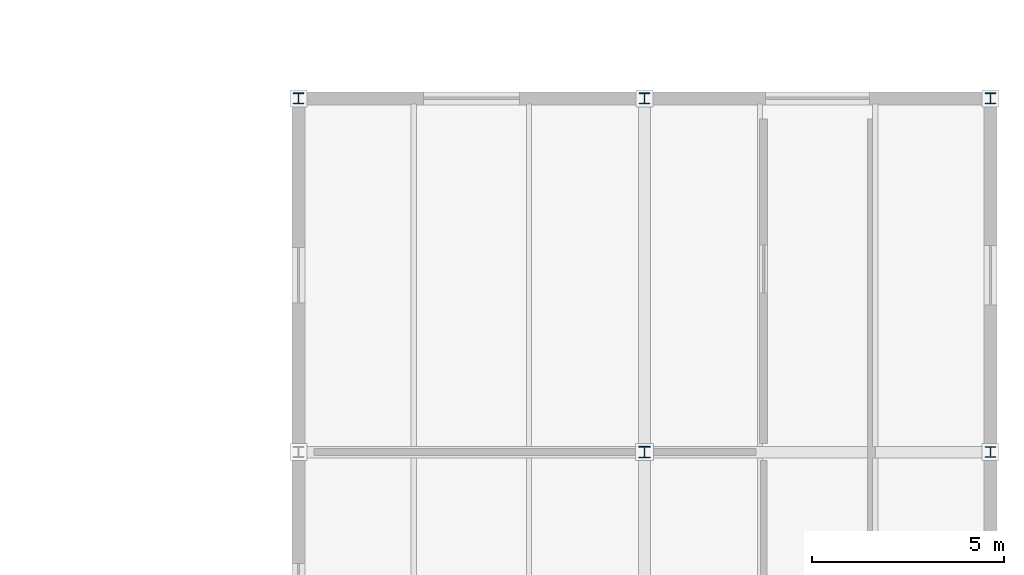
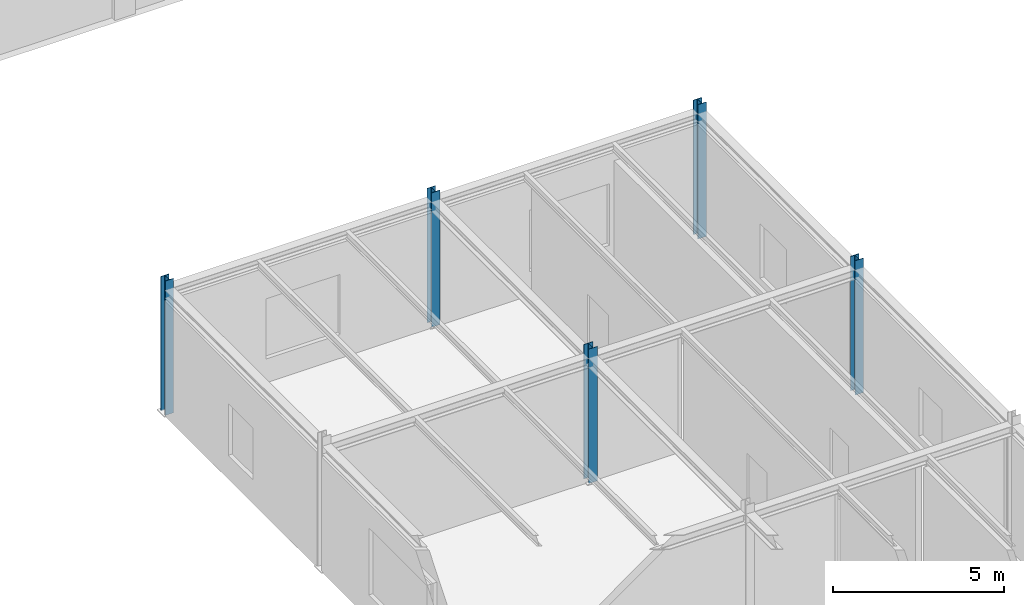
# One storey, part 9 of 61: 5 columns.
"""IFC4 building model written with IfcOpenShell, lengths in metres."""

import ifcopenshell
import ifcopenshell.guid

model = None  # the IFC model being written
_history = None  # IfcOwnerHistory: only IFC2X3 demands one
_inside = {}  # id of a spatial element -> (the spatial element, [elements in it])
_under = {}  # id of a project, library or spatial element -> (it, [spatial elements below it])
_declared = {}  # id of a project -> (the project, [libraries it declares])
_typed = {}  # id of a type object -> (the type object, [elements of that type])
_made_of = {}  # id of a material, layer set ... -> (it, [elements and type objects made of it])


def new_model(schema):
    """Start an empty IFC model of exactly this schema.

    Asked for "IFC4X3", IfcOpenShell would pick the latest addendum, in which some entities
    have other attributes; the version numbers below select the first issue.
    IFC2X3 requires an IfcOwnerHistory on every rooted entity: one is made here for all.
    """
    global model, _history
    if schema == "IFC4X3":
        model = ifcopenshell.file(schema_version=(4, 3, 0, 0))
    else:
        model = ifcopenshell.file(schema=schema)
    _inside.clear()
    _under.clear()
    _declared.clear()
    _typed.clear()
    _made_of.clear()
    _history = None
    if model.schema == "IFC2X3":
        org = make("IfcOrganization", Name="unknown")
        user = make(
            "IfcPersonAndOrganization",
            ThePerson=make("IfcPerson", FamilyName="unknown"),
            TheOrganization=org,
        )
        app = make(
            "IfcApplication",
            ApplicationDeveloper=org,
            Version="unknown",
            ApplicationFullName="unknown",
            ApplicationIdentifier="unknown",
        )
        _history = make(
            "IfcOwnerHistory",
            OwningUser=user,
            OwningApplication=app,
            ChangeAction="ADDED",
            CreationDate=0,
        )
    return model


def make(cls, **values):
    """One entity of the class cls with the attributes given. An attribute that is None is left unset."""
    return model.create_entity(
        cls, **{name: value for name, value in values.items() if value is not None}
    )


def rooted(cls, **values):
    """An entity with a GlobalId (a new one), such as an element, a storey or a relation."""
    return make(cls, GlobalId=ifcopenshell.guid.new(), OwnerHistory=_history, **values)


def si_unit(unit_type, name, prefix=None):
    """IfcSIUnit, for example si_unit("LENGTHUNIT", "METRE", prefix="MILLI")."""
    return make("IfcSIUnit", UnitType=unit_type, Prefix=prefix, Name=name)


def assignment(units):
    """IfcUnitAssignment: the units of a project."""
    return None if units is None else make("IfcUnitAssignment", Units=units)


def point(xyz):
    """IfcCartesianPoint."""
    return None if xyz is None else make("IfcCartesianPoint", Coordinates=xyz)


def direction(xyz):
    """IfcDirection."""
    return None if xyz is None else make("IfcDirection", DirectionRatios=xyz)


def frame(location, z_axis=None, x_axis=None):
    """IfcAxis2Placement3D, a coordinate frame: its origin and axes. An axis left out is left unset."""
    return make(
        "IfcAxis2Placement3D",
        Location=point(location),
        Axis=direction(z_axis),
        RefDirection=direction(x_axis),
    )


def frame_2d(location, x_axis=None):
    """IfcAxis2Placement2D, a coordinate frame in the plane: its origin and x axis."""
    return make(
        "IfcAxis2Placement2D", Location=point(location), RefDirection=direction(x_axis)
    )


def origin():
    """The frame at (0, 0, 0) with its axes left unset."""
    return frame((0.0, 0.0, 0.0))


def origin_2d():
    """The frame at (0, 0) in the plane with its x axis left unset."""
    return frame_2d((0.0, 0.0))


def place(relative_to, where):
    """IfcLocalPlacement: puts the frame where relative to a parent placement (None: the world)."""
    return make(
        "IfcLocalPlacement", PlacementRelTo=relative_to, RelativePlacement=where
    )


def context(
    kind, dimensions, precision=None, world=None, true_north=None, identifier=None
):
    """IfcGeometricRepresentationContext, for example the 3D "Model" context."""
    return make(
        "IfcGeometricRepresentationContext",
        ContextIdentifier=identifier,
        ContextType=kind,
        CoordinateSpaceDimension=dimensions,
        Precision=precision,
        WorldCoordinateSystem=world,
        TrueNorth=true_north,
    )


def subcontext(parent, identifier, kind, view, scale=None):
    """IfcGeometricRepresentationSubContext, for example "Body" below "Model"."""
    return make(
        "IfcGeometricRepresentationSubContext",
        ContextIdentifier=identifier,
        ContextType=kind,
        ParentContext=parent,
        TargetScale=scale,
        TargetView=view,
    )


def project(units=None, contexts=None):
    """IfcProject with its units and contexts."""
    return rooted(
        "IfcProject",
        Name="project",
        RepresentationContexts=contexts,
        UnitsInContext=assignment(units),
    )


def spatial(cls, under=None, at=None, **own):
    """A site, building, storey or space (cls), placed at a placement, below another one or the project."""
    s = rooted(cls, ObjectPlacement=at, **own)
    if under is not None:
        _under.setdefault(under.id(), (under, []))[1].append(s)
    return s


def profile(cls, at=None, kind="AREA", **sizes):
    """A parametric profile (cls). Its sizes go by their IFC names, for example OverallWidth=200.0."""
    return make(cls, ProfileType=kind, Position=at, **sizes)


def i_section(**sizes):
    """IfcIShapeProfileDef."""
    return profile("IfcIShapeProfileDef", **sizes)


def extrude(swept, where, along, depth):
    """IfcExtrudedAreaSolid: the profile swept, set in the frame where, extruded along a direction by depth."""
    return make(
        "IfcExtrudedAreaSolid",
        SweptArea=swept,
        Position=where,
        ExtrudedDirection=direction(along),
        Depth=depth,
    )


def shape(context_of_items, identifier, shape_type, items):
    """IfcShapeRepresentation: the items that make up one representation, for example the "Body"."""
    return make(
        "IfcShapeRepresentation",
        ContextOfItems=context_of_items,
        RepresentationIdentifier=identifier,
        RepresentationType=shape_type,
        Items=items,
    )


def material(Name=None, Category=None):
    """IfcMaterial."""
    return make("IfcMaterial", Name=Name, Category=Category)


def material_profile(
    of_material, cross_section, Name=None, Category=None, Priority=None
):
    """IfcMaterialProfile: a cross section and its material."""
    return make(
        "IfcMaterialProfile",
        Name=Name,
        Material=of_material,
        Profile=cross_section,
        Priority=Priority,
        Category=Category,
    )


def profile_set(profiles, Name=None, composite=None):
    """IfcMaterialProfileSet."""
    return make(
        "IfcMaterialProfileSet",
        Name=Name,
        MaterialProfiles=profiles,
        CompositeProfile=composite,
    )


def made_of(thing, what):
    """Note that an element or type object is made of a material, layer set ...; save() writes the relation."""
    if what is not None:
        _made_of.setdefault(what.id(), (what, []))[1].append(thing)
    return thing


def type_object(cls, material=None, **own):
    """A type object (cls), such as IfcWallType, which elements share."""
    return made_of(rooted(cls, **own), material)


def element(
    cls,
    number,
    at=None,
    inside=None,
    cuts=None,
    type_object=None,
    material=None,
    context=None,
    identifier="Body",
    shape_type=None,
    held_by="IfcProductDefinitionShape",
    body=None,
    shapes=None,
    **own,
):
    """One element of the class cls, such as IfcWall. Its Tag is "e" and its number.

    at: its placement. inside: the storey or other place that contains it. cuts: it is an
    opening in that element (IfcRelVoidsElement). A single representation is given by context,
    identifier, shape_type and body (its items); several are given by shapes. held_by: the class
    of the entity that holds the representations. save() writes the other relations.
    """
    e = rooted(cls, Tag="e%d" % number, ObjectPlacement=at, **own)
    if body is not None:
        shapes = [shape(context, identifier, shape_type, body)]
    if shapes is not None:
        e.Representation = make(held_by, Representations=shapes)
    if inside is not None:
        _inside.setdefault(inside.id(), (inside, []))[1].append(e)
    if cuts is not None:
        rooted(
            "IfcRelVoidsElement", RelatingBuildingElement=cuts, RelatedOpeningElement=e
        )
    if type_object is not None:
        _typed.setdefault(type_object.id(), (type_object, []))[1].append(e)
    return made_of(e, material)


def aggregate(whole, parts):
    """IfcRelAggregates: a whole, such as a stair, and the parts it consists of."""
    return rooted("IfcRelAggregates", RelatingObject=whole, RelatedObjects=parts)


def save(model, path):
    """Write the relations noted so far, then the file.

    IfcRelAggregates (storeys below a building ...), IfcRelContainedInSpatialStructure (elements
    in a storey), IfcRelDefinesByType, IfcRelAssociatesMaterial and IfcRelDeclares: one each for
    every whole, place, type object, material and project.
    """
    for whole, parts in _under.values():
        aggregate(whole, parts)
    for where, things in _inside.values():
        rooted(
            "IfcRelContainedInSpatialStructure",
            RelatedElements=things,
            RelatingStructure=where,
        )
    for kind, things in _typed.values():
        rooted("IfcRelDefinesByType", RelatedObjects=things, RelatingType=kind)
    for what, things in _made_of.values():
        rooted("IfcRelAssociatesMaterial", RelatedObjects=things, RelatingMaterial=what)
    for by, libraries in _declared.values():
        rooted("IfcRelDeclares", RelatingContext=by, RelatedDefinitions=libraries)
    model.write(path)


model = new_model("IFC4")

# Units and contexts
model_context = context("Model", 3, precision=1e-05, world=origin(), true_north=direction((0.0, 1.0)))
body_context = subcontext(model_context, "Body", "Model", "MODEL_VIEW")
ifc_project = project(units=[si_unit("LENGTHUNIT", "METRE"), si_unit("AREAUNIT", "SQUARE_METRE"), si_unit("VOLUMEUNIT", "CUBIC_METRE"), si_unit("PLANEANGLEUNIT", "RADIAN"), si_unit("MASSUNIT", "GRAM", prefix="KILO")], contexts=[model_context])

# Site, building, storey
site_placement = place(None, origin())
site = spatial("IfcSite", under=ifc_project, at=site_placement, CompositionType="ELEMENT")
building_placement = place(site_placement, origin())
building = spatial("IfcBuilding", under=site, at=building_placement, Name="Bozkorgan Art Gallery", CompositionType="ELEMENT")
storey_placement = place(building_placement, frame((0.0, 0.0, 10.199951171875)))
storey = spatial("IfcBuildingStorey", under=building, at=storey_placement, Name="L02", CompositionType="ELEMENT", Elevation=10.199951171875)

# Columns
ifc_material = material(Name="Steel S355J2", Category="steel")
ifc_material_profile_1 = material_profile(ifc_material, i_section(OverallWidth=0.300048828125, OverallDepth=0.2900390625, WebThickness=0.008544921875, FlangeThickness=0.013916015625, FilletRadius=0.027099609375, at=origin_2d()), Name="HEA 300")
ifc_profile_set_1 = profile_set([ifc_material_profile_1], Name="Steel S355J2")
column_type_1 = type_object("IfcColumnType", Name="COLUMN-C-06", PredefinedType="COLUMN", material=ifc_profile_set_1)
column_placement = place(storey_placement, frame((155.0, 38.39990234375, 0.0), z_axis=(0.0, 0.0, 1.0), x_axis=(1.0, 0.0, 0.0)))
element("IfcColumn", 1, at=column_placement, inside=storey, type_object=column_type_1, Name="V6 L02 column (155.0, 38.4)", PredefinedType="COLUMN", context=body_context, shape_type="SweptSolid", body=[
    extrude(i_section(OverallWidth=0.300048828125, OverallDepth=0.2900390625, WebThickness=0.008544921875, FlangeThickness=0.013916015625, FilletRadius=0.027099609375, at=origin_2d()), origin(), (0.0, 0.0, 1.0), 4.800048828125),
])
ifc_material_profile_2 = material_profile(ifc_material, i_section(OverallWidth=0.280029296875, OverallDepth=0.280029296875, WebThickness=0.010498046875, FlangeThickness=0.01806640625, FilletRadius=0.02392578125, at=origin_2d()), Name="HEB 280")
ifc_profile_set_2 = profile_set([ifc_material_profile_2], Name="Steel S355J2")
column_type_2 = type_object("IfcColumnType", Name="COLUMN-C-66", PredefinedType="COLUMN", material=ifc_profile_set_2)
for number, where, z_axis, x_axis, name in (
    (2, (146.0, 47.60009765625, 0.0), (0.0, 0.0, 1.0), (1.0, 0.0, 0.0), "V6 L02 column (146.0, 47.6)"),
    (3, (155.0, 47.60009765625, 0.0), (0.0, 0.0, 1.0), (1.0, 0.0, 0.0), "V6 L02 column (155.0, 47.6)"),
    (4, (164.0, 38.39990234375, 0.0), (0.0, 0.0, 1.0), (1.0, 0.0, 0.0), "V6 L02 column (164.0, 38.4)"),
    (5, (164.0, 47.60009765625, 0.0), (0.0, 0.0, 1.0), (1.0, 0.0, 0.0), "V6 L02 column (164.0, 47.6)"),
):
    element("IfcColumn", number, at=place(storey_placement, frame(where, z_axis=z_axis, x_axis=x_axis)), inside=storey, type_object=column_type_2, Name=name, PredefinedType="COLUMN", context=body_context, shape_type="SweptSolid", body=[
        extrude(i_section(OverallWidth=0.280029296875, OverallDepth=0.280029296875, WebThickness=0.010498046875, FlangeThickness=0.01806640625, FilletRadius=0.02392578125, at=origin_2d()), origin(), (0.0, 0.0, 1.0), 4.800048828125),
    ])

save(model, "model.ifc")
